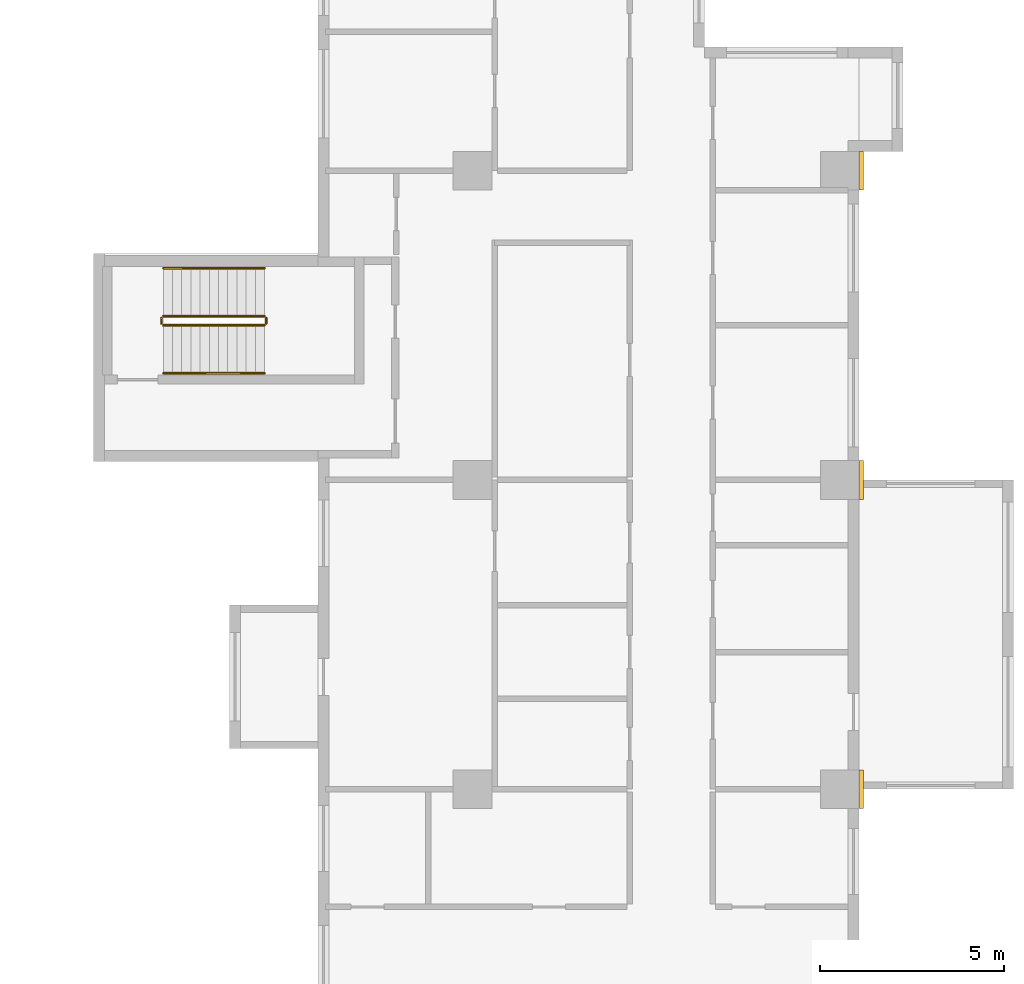
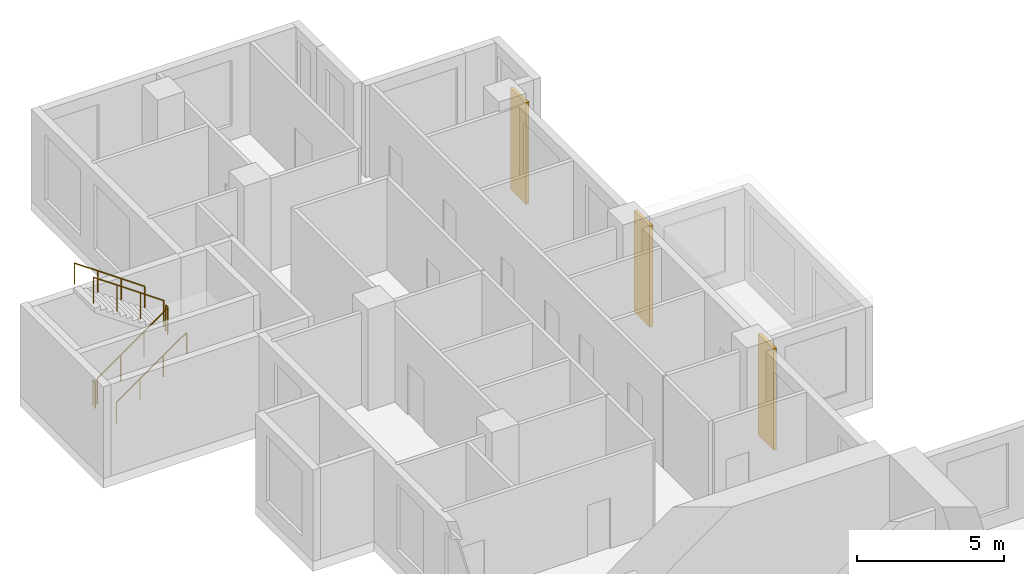
# One storey, part 14 of 15: 6 railings, 3 coverings.
"""IFC4 building model written with IfcOpenShell, lengths in metres."""

import ifcopenshell
import ifcopenshell.guid

model = None  # the IFC model being written
_history = None  # IfcOwnerHistory: only IFC2X3 demands one
_inside = {}  # id of a spatial element -> (the spatial element, [elements in it])
_under = {}  # id of a project, library or spatial element -> (it, [spatial elements below it])
_declared = {}  # id of a project -> (the project, [libraries it declares])
_typed = {}  # id of a type object -> (the type object, [elements of that type])
_made_of = {}  # id of a material, layer set ... -> (it, [elements and type objects made of it])


def new_model(schema):
    """Start an empty IFC model of exactly this schema.

    Asked for "IFC4X3", IfcOpenShell would pick the latest addendum, in which some entities
    have other attributes; the version numbers below select the first issue.
    IFC2X3 requires an IfcOwnerHistory on every rooted entity: one is made here for all.
    """
    global model, _history
    if schema == "IFC4X3":
        model = ifcopenshell.file(schema_version=(4, 3, 0, 0))
    else:
        model = ifcopenshell.file(schema=schema)
    _inside.clear()
    _under.clear()
    _declared.clear()
    _typed.clear()
    _made_of.clear()
    _history = None
    if model.schema == "IFC2X3":
        org = make("IfcOrganization", Name="unknown")
        user = make(
            "IfcPersonAndOrganization",
            ThePerson=make("IfcPerson", FamilyName="unknown"),
            TheOrganization=org,
        )
        app = make(
            "IfcApplication",
            ApplicationDeveloper=org,
            Version="unknown",
            ApplicationFullName="unknown",
            ApplicationIdentifier="unknown",
        )
        _history = make(
            "IfcOwnerHistory",
            OwningUser=user,
            OwningApplication=app,
            ChangeAction="ADDED",
            CreationDate=0,
        )
    return model


def make(cls, **values):
    """One entity of the class cls with the attributes given. An attribute that is None is left unset."""
    return model.create_entity(
        cls, **{name: value for name, value in values.items() if value is not None}
    )


def rooted(cls, **values):
    """An entity with a GlobalId (a new one), such as an element, a storey or a relation."""
    return make(cls, GlobalId=ifcopenshell.guid.new(), OwnerHistory=_history, **values)


def si_unit(unit_type, name, prefix=None):
    """IfcSIUnit, for example si_unit("LENGTHUNIT", "METRE", prefix="MILLI")."""
    return make("IfcSIUnit", UnitType=unit_type, Prefix=prefix, Name=name)


def assignment(units):
    """IfcUnitAssignment: the units of a project."""
    return None if units is None else make("IfcUnitAssignment", Units=units)


def point(xyz):
    """IfcCartesianPoint."""
    return None if xyz is None else make("IfcCartesianPoint", Coordinates=xyz)


def direction(xyz):
    """IfcDirection."""
    return None if xyz is None else make("IfcDirection", DirectionRatios=xyz)


def frame(location, z_axis=None, x_axis=None):
    """IfcAxis2Placement3D, a coordinate frame: its origin and axes. An axis left out is left unset."""
    return make(
        "IfcAxis2Placement3D",
        Location=point(location),
        Axis=direction(z_axis),
        RefDirection=direction(x_axis),
    )


def frame_2d(location, x_axis=None):
    """IfcAxis2Placement2D, a coordinate frame in the plane: its origin and x axis."""
    return make(
        "IfcAxis2Placement2D", Location=point(location), RefDirection=direction(x_axis)
    )


def origin():
    """The frame at (0, 0, 0) with its axes left unset."""
    return frame((0.0, 0.0, 0.0))


def origin_2d():
    """The frame at (0, 0) in the plane with its x axis left unset."""
    return frame_2d((0.0, 0.0))


def place(relative_to, where):
    """IfcLocalPlacement: puts the frame where relative to a parent placement (None: the world)."""
    return make(
        "IfcLocalPlacement", PlacementRelTo=relative_to, RelativePlacement=where
    )


def context(
    kind, dimensions, precision=None, world=None, true_north=None, identifier=None
):
    """IfcGeometricRepresentationContext, for example the 3D "Model" context."""
    return make(
        "IfcGeometricRepresentationContext",
        ContextIdentifier=identifier,
        ContextType=kind,
        CoordinateSpaceDimension=dimensions,
        Precision=precision,
        WorldCoordinateSystem=world,
        TrueNorth=true_north,
    )


def subcontext(parent, identifier, kind, view, scale=None):
    """IfcGeometricRepresentationSubContext, for example "Body" below "Model"."""
    return make(
        "IfcGeometricRepresentationSubContext",
        ContextIdentifier=identifier,
        ContextType=kind,
        ParentContext=parent,
        TargetScale=scale,
        TargetView=view,
    )


def project(units=None, contexts=None):
    """IfcProject with its units and contexts."""
    return rooted(
        "IfcProject",
        Name="project",
        RepresentationContexts=contexts,
        UnitsInContext=assignment(units),
    )


def spatial(cls, under=None, at=None, **own):
    """A site, building, storey or space (cls), placed at a placement, below another one or the project."""
    s = rooted(cls, ObjectPlacement=at, **own)
    if under is not None:
        _under.setdefault(under.id(), (under, []))[1].append(s)
    return s


def profile(cls, at=None, kind="AREA", **sizes):
    """A parametric profile (cls). Its sizes go by their IFC names, for example OverallWidth=200.0."""
    return make(cls, ProfileType=kind, Position=at, **sizes)


def rectangle(**sizes):
    """IfcRectangleProfileDef."""
    return profile("IfcRectangleProfileDef", **sizes)


def circle(**sizes):
    """IfcCircleProfileDef."""
    return profile("IfcCircleProfileDef", **sizes)


def extrude(swept, where, along, depth):
    """IfcExtrudedAreaSolid: the profile swept, set in the frame where, extruded along a direction by depth."""
    return make(
        "IfcExtrudedAreaSolid",
        SweptArea=swept,
        Position=where,
        ExtrudedDirection=direction(along),
        Depth=depth,
    )


def shape(context_of_items, identifier, shape_type, items):
    """IfcShapeRepresentation: the items that make up one representation, for example the "Body"."""
    return make(
        "IfcShapeRepresentation",
        ContextOfItems=context_of_items,
        RepresentationIdentifier=identifier,
        RepresentationType=shape_type,
        Items=items,
    )


def source(mapping_origin, context_of_items, identifier, shape_type, items):
    """IfcRepresentationMap: a shape defined once, which mapped items show again and again."""
    return make(
        "IfcRepresentationMap",
        MappingOrigin=mapping_origin,
        MappedRepresentation=shape(context_of_items, identifier, shape_type, items),
    )


def transform(
    local_origin,
    x_axis=None,
    y_axis=None,
    z_axis=None,
    scale=None,
    scale2=None,
    scale3=None,
    uniform=True,
):
    """IfcCartesianTransformationOperator3D, or its non-uniform kind. x_axis, y_axis, z_axis: its Axis1, 2, 3."""
    if uniform:
        return make(
            "IfcCartesianTransformationOperator3D",
            Axis1=direction(x_axis),
            Axis2=direction(y_axis),
            LocalOrigin=point(local_origin),
            Scale=scale,
            Axis3=direction(z_axis),
        )
    return make(
        "IfcCartesianTransformationOperator3DnonUniform",
        Axis1=direction(x_axis),
        Axis2=direction(y_axis),
        LocalOrigin=point(local_origin),
        Scale=scale,
        Axis3=direction(z_axis),
        Scale2=scale2,
        Scale3=scale3,
    )


def mapped(mapping_source, mapping_target):
    """IfcMappedItem: shows the shape of a source again, moved by a transform."""
    return make(
        "IfcMappedItem", MappingSource=mapping_source, MappingTarget=mapping_target
    )


def material(Name=None, Category=None):
    """IfcMaterial."""
    return make("IfcMaterial", Name=Name, Category=Category)


def made_of(thing, what):
    """Note that an element or type object is made of a material, layer set ...; save() writes the relation."""
    if what is not None:
        _made_of.setdefault(what.id(), (what, []))[1].append(thing)
    return thing


def type_object(cls, material=None, **own):
    """A type object (cls), such as IfcWallType, which elements share."""
    return made_of(rooted(cls, **own), material)


def element(
    cls,
    number,
    at=None,
    inside=None,
    cuts=None,
    type_object=None,
    material=None,
    context=None,
    identifier="Body",
    shape_type=None,
    held_by="IfcProductDefinitionShape",
    body=None,
    shapes=None,
    **own,
):
    """One element of the class cls, such as IfcWall. Its Tag is "e" and its number.

    at: its placement. inside: the storey or other place that contains it. cuts: it is an
    opening in that element (IfcRelVoidsElement). A single representation is given by context,
    identifier, shape_type and body (its items); several are given by shapes. held_by: the class
    of the entity that holds the representations. save() writes the other relations.
    """
    e = rooted(cls, Tag="e%d" % number, ObjectPlacement=at, **own)
    if body is not None:
        shapes = [shape(context, identifier, shape_type, body)]
    if shapes is not None:
        e.Representation = make(held_by, Representations=shapes)
    if inside is not None:
        _inside.setdefault(inside.id(), (inside, []))[1].append(e)
    if cuts is not None:
        rooted(
            "IfcRelVoidsElement", RelatingBuildingElement=cuts, RelatedOpeningElement=e
        )
    if type_object is not None:
        _typed.setdefault(type_object.id(), (type_object, []))[1].append(e)
    return made_of(e, material)


def aggregate(whole, parts):
    """IfcRelAggregates: a whole, such as a stair, and the parts it consists of."""
    return rooted("IfcRelAggregates", RelatingObject=whole, RelatedObjects=parts)


def save(model, path):
    """Write the relations noted so far, then the file.

    IfcRelAggregates (storeys below a building ...), IfcRelContainedInSpatialStructure (elements
    in a storey), IfcRelDefinesByType, IfcRelAssociatesMaterial and IfcRelDeclares: one each for
    every whole, place, type object, material and project.
    """
    for whole, parts in _under.values():
        aggregate(whole, parts)
    for where, things in _inside.values():
        rooted(
            "IfcRelContainedInSpatialStructure",
            RelatedElements=things,
            RelatingStructure=where,
        )
    for kind, things in _typed.values():
        rooted("IfcRelDefinesByType", RelatedObjects=things, RelatingType=kind)
    for what, things in _made_of.values():
        rooted("IfcRelAssociatesMaterial", RelatedObjects=things, RelatingMaterial=what)
    for by, libraries in _declared.values():
        rooted("IfcRelDeclares", RelatingContext=by, RelatedDefinitions=libraries)
    model.write(path)


model = new_model("IFC4")

# Units and contexts
model_context = context("Model", 3, precision=1e-05, world=origin(), true_north=direction((0.0, 1.0)))
body_context = subcontext(model_context, "Body", "Model", "MODEL_VIEW")
ifc_project = project(units=[si_unit("LENGTHUNIT", "METRE"), si_unit("AREAUNIT", "SQUARE_METRE"), si_unit("VOLUMEUNIT", "CUBIC_METRE"), si_unit("PLANEANGLEUNIT", "RADIAN"), si_unit("MASSUNIT", "GRAM", prefix="KILO")], contexts=[model_context])

# Site, building, storey
site_placement = place(None, origin())
site = spatial("IfcSite", under=ifc_project, at=site_placement, CompositionType="ELEMENT")
building_placement = place(site_placement, origin())
building = spatial("IfcBuilding", under=site, at=building_placement, Name="Aurelian Terraces", CompositionType="ELEMENT")
storey_placement = place(building_placement, frame((0.0, 0.0, 137.1)))
storey = spatial("IfcBuildingStorey", under=building, at=storey_placement, Name="L30", CompositionType="ELEMENT", Elevation=137.1)

# Coverings
ifc_material_1 = material(Name="Terracotta rainscreen cladding relief", Category="masonry")
covering_type = type_object("IfcCoveringType", Name="BAGUETTE-TC", PredefinedType="CLADDING", material=ifc_material_1)
shared_shape_1 = source(origin(), body_context, "Body", "SweptSolid", [
    extrude(rectangle(XDim=0.12, YDim=1.05, at=origin_2d()), origin(), (0.0, 0.0, 1.0), 4.2),
])
for number, where, z_axis, x_axis, name in (
    (1, (21.06, 29.4, -0.4), (0.0, 0.0, 1.0), (1.0, 0.0, 0.0), "BAGUETTE pier L30 10"),
    (2, (21.06, 37.8, -0.4), (0.0, 0.0, 1.0), (1.0, 0.0, 0.0), "BAGUETTE pier L30 11"),
    (3, (21.06, 46.2, -0.4), (0.0, 0.0, 1.0), (1.0, 0.0, 0.0), "BAGUETTE pier L30 12"),
):
    element("IfcCovering", number, at=place(storey_placement, frame(where, z_axis=z_axis, x_axis=x_axis)), inside=storey, type_object=covering_type, Name=name, PredefinedType="CLADDING", context=body_context, shape_type="MappedRepresentation", body=[
        mapped(shared_shape_1, transform((0.0, 0.0, 0.0), scale=1.0)),
    ])

# Railings
ifc_material_2 = material(Name="Stainless steel", Category="steel")
railing_type_1 = type_object("IfcRailingType", Name="Stair guard 1100", PredefinedType="GUARDRAIL", material=ifc_material_2)
shared_shape_2 = source(origin(), body_context, "Body", "SweptSolid", [
    extrude(circle(Radius=0.024, at=origin_2d()), frame((0.0, 0.0, 1.076), z_axis=(0.0, 1.0, 0.0), x_axis=(-1.0, 0.0, 0.0)), (0.0, 0.0, 1.0), 0.15),
    extrude(circle(Radius=0.021, at=origin_2d()), origin(), (0.0, 0.0, 1.0), 1.052),
    extrude(circle(Radius=0.021, at=origin_2d()), frame((0.0, 0.15, 0.0)), (0.0, 0.0, 1.0), 1.052),
])
for number, where, name in (
    (4, (4.9, 42.05, 2.1), "L30 S3 stair guard 2"),
    (5, (2.05, 42.05, 0.0), "L30 S3 stair guard 4"),
):
    element("IfcRailing", number, at=place(storey_placement, frame(where)), inside=storey, type_object=railing_type_1, Name=name, PredefinedType="GUARDRAIL", context=body_context, shape_type="MappedRepresentation", body=[
        mapped(shared_shape_2, transform((0.0, 0.0, 0.0), scale=1.0)),
    ])
shared_shape_3 = source(origin(), body_context, "Body", "SweptSolid", [
    extrude(circle(Radius=0.024, at=origin_2d()), frame((0.0, 0.0, 1.076), z_axis=(0.819231920519, 0.0, 0.573462344363), x_axis=(0.0, 1.0, 0.0)), (0.0, 0.0, 1.0), 3.3568),
    extrude(circle(Radius=0.021, at=origin_2d()), origin(), (0.0, 0.0, 1.0), 1.052),
    extrude(circle(Radius=0.021, at=origin_2d()), frame((0.9167, 0.0, 0.6417)), (0.0, 0.0, 1.0), 1.052),
    extrude(circle(Radius=0.021, at=origin_2d()), frame((1.8333, 0.0, 1.2833)), (0.0, 0.0, 1.0), 1.052),
    extrude(circle(Radius=0.021, at=origin_2d()), frame((2.75, 0.0, 1.925)), (0.0, 0.0, 1.0), 1.052),
])
railing_1_placement = place(storey_placement, frame((2.1, 42.0, 0.175)))
element("IfcRailing", 6, at=railing_1_placement, inside=storey, type_object=railing_type_1, Name="L30 S3 stair guard 1", PredefinedType="GUARDRAIL", context=body_context, shape_type="MappedRepresentation", body=[
    mapped(shared_shape_3, transform((0.0, 0.0, 0.0), scale=1.0)),
])
shared_shape_4 = source(origin(), body_context, "Body", "SweptSolid", [
    extrude(circle(Radius=0.024, at=origin_2d()), frame((0.0, 0.0, 1.076), z_axis=(-0.819231920519, 0.0, 0.573462344363), x_axis=(0.0, -1.0, 0.0)), (0.0, 0.0, 1.0), 3.3568),
    extrude(circle(Radius=0.021, at=origin_2d()), origin(), (0.0, 0.0, 1.0), 1.052),
    extrude(circle(Radius=0.021, at=origin_2d()), frame((-0.9167, 0.0, 0.6417)), (0.0, 0.0, 1.0), 1.052),
    extrude(circle(Radius=0.021, at=origin_2d()), frame((-1.8333, 0.0, 1.2833)), (0.0, 0.0, 1.0), 1.052),
    extrude(circle(Radius=0.021, at=origin_2d()), frame((-2.75, 0.0, 1.925)), (0.0, 0.0, 1.0), 1.052),
])
railing_2_placement = place(storey_placement, frame((4.85, 42.25, 2.275)))
element("IfcRailing", 7, at=railing_2_placement, inside=storey, type_object=railing_type_1, Name="L30 S3 stair guard 3", PredefinedType="GUARDRAIL", context=body_context, shape_type="MappedRepresentation", body=[
    mapped(shared_shape_4, transform((0.0, 0.0, 0.0), scale=1.0)),
])
railing_type_2 = type_object("IfcRailingType", Name="Stair handrail", PredefinedType="HANDRAIL", material=ifc_material_2)
shared_shape_5 = source(origin(), body_context, "Body", "SweptSolid", [
    extrude(circle(Radius=0.024, at=origin_2d()), frame((0.0, 0.0, 0.876), z_axis=(0.819231920519, 0.0, 0.573462344363), x_axis=(0.0, 1.0, 0.0)), (0.0, 0.0, 1.0), 3.3568),
    extrude(circle(Radius=0.021, at=origin_2d()), origin(), (0.0, 0.0, 1.0), 0.852),
    extrude(circle(Radius=0.021, at=origin_2d()), frame((0.9167, 0.0, 0.6417)), (0.0, 0.0, 1.0), 0.852),
    extrude(circle(Radius=0.021, at=origin_2d()), frame((1.8333, 0.0, 1.2833)), (0.0, 0.0, 1.0), 0.852),
    extrude(circle(Radius=0.021, at=origin_2d()), frame((2.75, 0.0, 1.925)), (0.0, 0.0, 1.0), 0.852),
])
railing_3_placement = place(storey_placement, frame((2.1, 40.7, 0.175)))
element("IfcRailing", 8, at=railing_3_placement, inside=storey, type_object=railing_type_2, Name="L30 S3 stair handrail 1", PredefinedType="HANDRAIL", context=body_context, shape_type="MappedRepresentation", body=[
    mapped(shared_shape_5, transform((0.0, 0.0, 0.0), scale=1.0)),
])
shared_shape_6 = source(origin(), body_context, "Body", "SweptSolid", [
    extrude(circle(Radius=0.024, at=origin_2d()), frame((0.0, 0.0, 0.876), z_axis=(-0.819231920519, 0.0, 0.573462344363), x_axis=(0.0, -1.0, 0.0)), (0.0, 0.0, 1.0), 3.3568),
    extrude(circle(Radius=0.021, at=origin_2d()), origin(), (0.0, 0.0, 1.0), 0.852),
    extrude(circle(Radius=0.021, at=origin_2d()), frame((-0.9167, 0.0, 0.6417)), (0.0, 0.0, 1.0), 0.852),
    extrude(circle(Radius=0.021, at=origin_2d()), frame((-1.8333, 0.0, 1.2833)), (0.0, 0.0, 1.0), 0.852),
    extrude(circle(Radius=0.021, at=origin_2d()), frame((-2.75, 0.0, 1.925)), (0.0, 0.0, 1.0), 0.852),
])
railing_4_placement = place(storey_placement, frame((4.85, 43.55, 2.275)))
element("IfcRailing", 9, at=railing_4_placement, inside=storey, type_object=railing_type_2, Name="L30 S3 stair handrail 2", PredefinedType="HANDRAIL", context=body_context, shape_type="MappedRepresentation", body=[
    mapped(shared_shape_6, transform((0.0, 0.0, 0.0), scale=1.0)),
])

save(model, "model.ifc")
